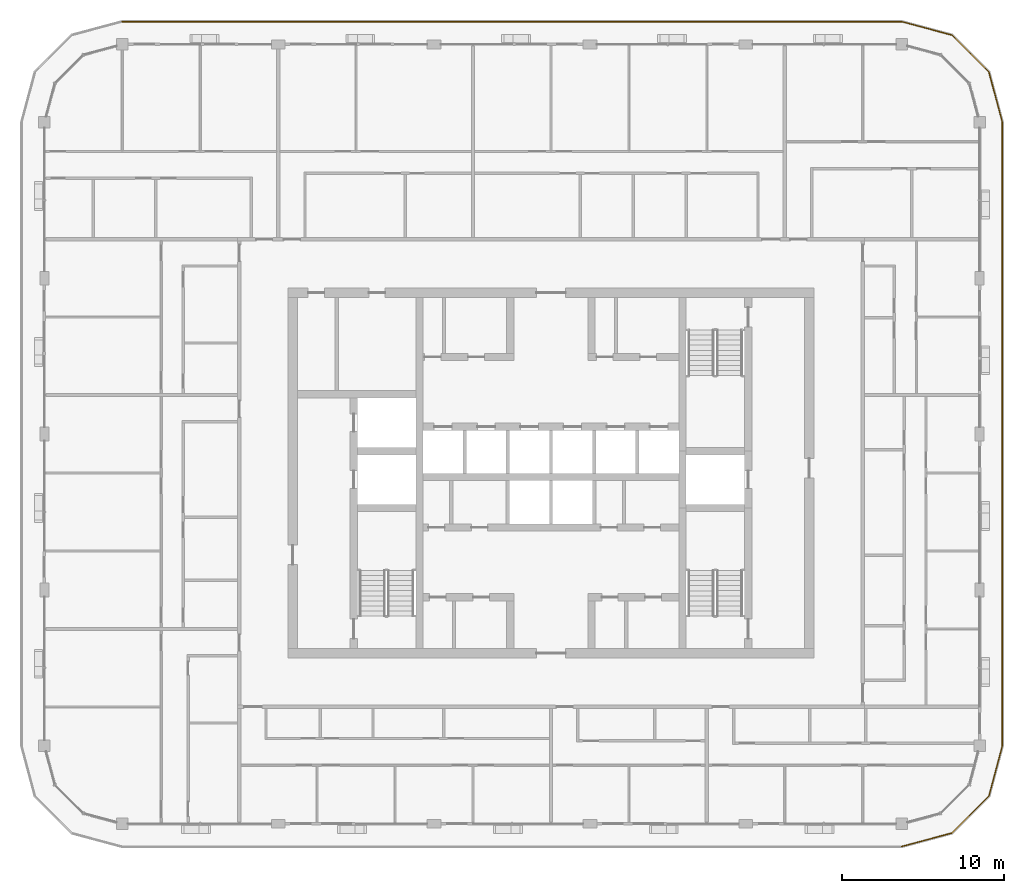
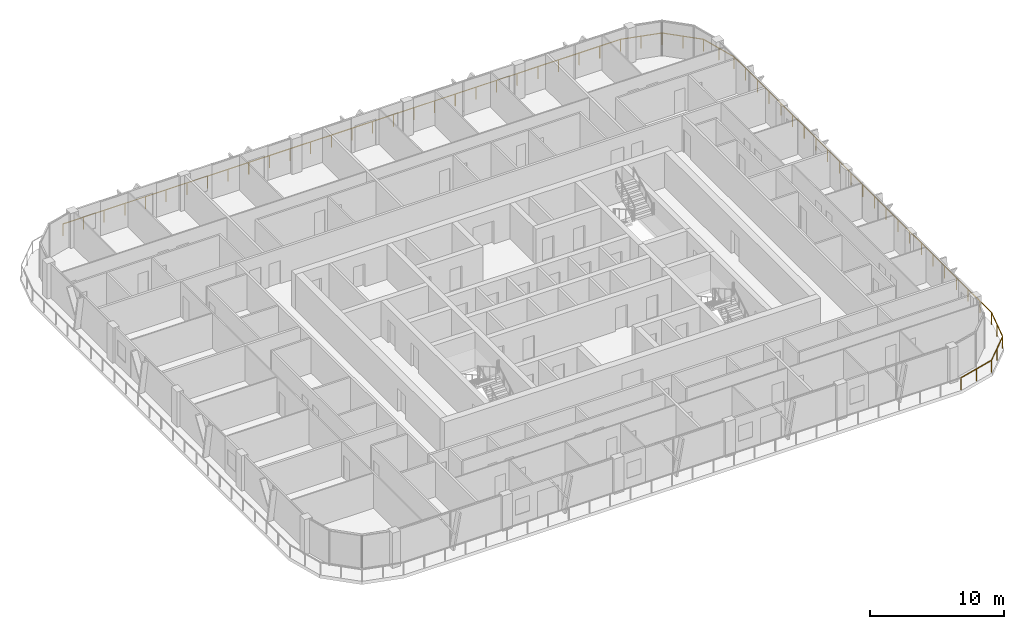
# One storey, part 19 of 21: 1 railing.
"""IFC4 building model written with IfcOpenShell, lengths in metres."""

from ifc_helpers import new_model, si_unit, direction, frame, origin, origin_2d, place, context, subcontext, project, spatial, circle, extrude, material, type_object, element, save


model = new_model("IFC4")

# Units and contexts
model_context = context("Model", 3, precision=1e-05, world=origin(), true_north=direction((0.0, 1.0)))
body_context = subcontext(model_context, "Body", "Model", "MODEL_VIEW")
ifc_project = project(units=[si_unit("LENGTHUNIT", "METRE"), si_unit("AREAUNIT", "SQUARE_METRE"), si_unit("VOLUMEUNIT", "CUBIC_METRE"), si_unit("PLANEANGLEUNIT", "RADIAN"), si_unit("MASSUNIT", "GRAM", prefix="KILO")], contexts=[model_context])

# Site, building, storey
site_placement = place(None, origin())
site = spatial("IfcSite", under=ifc_project, at=site_placement, CompositionType="ELEMENT")
building_placement = place(site_placement, origin())
building = spatial("IfcBuilding", under=site, at=building_placement, Name="Madar Terraces", CompositionType="ELEMENT")
storey_placement = place(building_placement, frame((0.0, 0.0, 245.699951171875)))
storey = spatial("IfcBuildingStorey", under=building, at=storey_placement, Name="L64", CompositionType="ELEMENT", Elevation=245.699951171875)

# Railing
ifc_material = material(Name="Glass, safety glazing, with stainless steel posts", Category="steel")
railing_type = type_object("IfcRailingType", Name="Balcony glass guard 1100", PredefinedType="GUARDRAIL", material=ifc_material)
railing_placement = place(storey_placement, frame((52.800048828125, 3.39990234375, 0.0)))
element("IfcRailing", 1, at=railing_placement, inside=storey, type_object=railing_type, Name="Balcony guard", PredefinedType="GUARDRAIL", context=body_context, shape_type="SweptSolid", body=[
    extrude(circle(Radius=0.02392578125, at=origin_2d()), frame((0.0, 0.0, 1.076171875), z_axis=(0.965909675762, 0.25887931217, 0.0), x_axis=(-0.25887931217, 0.965909675762, 0.0)), (0.0, 0.0, 1.0), 3.209228515625),
    extrude(circle(Radius=0.02392578125, at=origin_2d()), frame((3.099853515625, 0.830810546875, 1.076171875), z_axis=(0.707144815061, 0.707068745266, 0.0), x_axis=(-0.707068745266, 0.707144815061, 0.0)), (0.0, 0.0, 1.0), 3.20947265625),
    extrude(circle(Radius=0.02392578125, at=origin_2d()), frame((5.369384765625, 3.10009765625, 1.076171875), z_axis=(0.258789317819, 0.9659337912, 0.0), x_axis=(-0.9659337912, 0.258789317819, 0.0)), (0.0, 0.0, 1.0), 3.20947265625),
    extrude(circle(Radius=0.02392578125, at=origin_2d()), frame((6.199951171875, 6.2001953125, 1.076171875), z_axis=(0.0, 1.0, 0.0), x_axis=(-1.0, 0.0, 0.0)), (0.0, 0.0, 1.0), 38.39990234375),
    extrude(circle(Radius=0.02392578125, at=origin_2d()), frame((6.199951171875, 44.60009765625, 1.076171875), z_axis=(-0.258789317819, 0.9659337912, 0.0), x_axis=(-0.9659337912, -0.258789317819, 0.0)), (0.0, 0.0, 1.0), 3.20947265625),
    extrude(circle(Radius=0.02392578125, at=origin_2d()), frame((5.369384765625, 47.7001953125, 1.076171875), z_axis=(-0.707144815061, 0.707068745266, 0.0), x_axis=(-0.707068745266, -0.707144815061, 0.0)), (0.0, 0.0, 1.0), 3.20947265625),
    extrude(circle(Radius=0.02392578125, at=origin_2d()), frame((3.099853515625, 49.969482421875, 1.076171875), z_axis=(-0.965928696102, 0.258808334578, 0.0), x_axis=(-0.258808334578, -0.965928696102, 0.0)), (0.0, 0.0, 1.0), 3.209228515625),
    extrude(circle(Radius=0.02392578125, at=origin_2d()), frame((0.0, 50.800048828125, 1.076171875), z_axis=(-1.0, 0.0, 0.0), x_axis=(0.0, -1.0, 0.0)), (0.0, 0.0, 1.0), 48.0),
    extrude(circle(Radius=0.02099609375, at=origin_2d()), origin(), (0.0, 0.0, 1.0), 1.052001953125),
    extrude(circle(Radius=0.02099609375, at=origin_2d()), frame((1.5498046875, 0.41552734375, 0.0)), (0.0, 0.0, 1.0), 1.052001953125),
    extrude(circle(Radius=0.02099609375, at=origin_2d()), frame((3.099853515625, 0.830810546875, 0.0)), (0.0, 0.0, 1.0), 1.052001953125),
    extrude(circle(Radius=0.02099609375, at=origin_2d()), frame((4.234619140625, 1.96533203125, 0.0)), (0.0, 0.0, 1.0), 1.052001953125),
    extrude(circle(Radius=0.02099609375, at=origin_2d()), frame((5.369384765625, 3.10009765625, 0.0)), (0.0, 0.0, 1.0), 1.052001953125),
    extrude(circle(Radius=0.02099609375, at=origin_2d()), frame((5.78466796875, 4.650146484375, 0.0)), (0.0, 0.0, 1.0), 1.052001953125),
    extrude(circle(Radius=0.02099609375, at=origin_2d()), frame((6.199951171875, 6.2001953125, 0.0)), (0.0, 0.0, 1.0), 1.052001953125),
    extrude(circle(Radius=0.02099609375, at=origin_2d()), frame((6.199951171875, 7.945556640625, 0.0)), (0.0, 0.0, 1.0), 1.052001953125),
    extrude(circle(Radius=0.02099609375, at=origin_2d()), frame((6.199951171875, 9.691162109375, 0.0)), (0.0, 0.0, 1.0), 1.052001953125),
    extrude(circle(Radius=0.02099609375, at=origin_2d()), frame((6.199951171875, 11.4365234375, 0.0)), (0.0, 0.0, 1.0), 1.052001953125),
    extrude(circle(Radius=0.02099609375, at=origin_2d()), frame((6.199951171875, 13.181884765625, 0.0)), (0.0, 0.0, 1.0), 1.052001953125),
    extrude(circle(Radius=0.02099609375, at=origin_2d()), frame((6.199951171875, 14.927490234375, 0.0)), (0.0, 0.0, 1.0), 1.052001953125),
    extrude(circle(Radius=0.02099609375, at=origin_2d()), frame((6.199951171875, 16.6728515625, 0.0)), (0.0, 0.0, 1.0), 1.052001953125),
    extrude(circle(Radius=0.02099609375, at=origin_2d()), frame((6.199951171875, 18.41845703125, 0.0)), (0.0, 0.0, 1.0), 1.052001953125),
    extrude(circle(Radius=0.02099609375, at=origin_2d()), frame((6.199951171875, 20.163818359375, 0.0)), (0.0, 0.0, 1.0), 1.052001953125),
    extrude(circle(Radius=0.02099609375, at=origin_2d()), frame((6.199951171875, 21.9091796875, 0.0)), (0.0, 0.0, 1.0), 1.052001953125),
    extrude(circle(Radius=0.02099609375, at=origin_2d()), frame((6.199951171875, 23.65478515625, 0.0)), (0.0, 0.0, 1.0), 1.052001953125),
    extrude(circle(Radius=0.02099609375, at=origin_2d()), frame((6.199951171875, 25.400146484375, 0.0)), (0.0, 0.0, 1.0), 1.052001953125),
    extrude(circle(Radius=0.02099609375, at=origin_2d()), frame((6.199951171875, 27.1455078125, 0.0)), (0.0, 0.0, 1.0), 1.052001953125),
    extrude(circle(Radius=0.02099609375, at=origin_2d()), frame((6.199951171875, 28.89111328125, 0.0)), (0.0, 0.0, 1.0), 1.052001953125),
    extrude(circle(Radius=0.02099609375, at=origin_2d()), frame((6.199951171875, 30.636474609375, 0.0)), (0.0, 0.0, 1.0), 1.052001953125),
    extrude(circle(Radius=0.02099609375, at=origin_2d()), frame((6.199951171875, 32.3818359375, 0.0)), (0.0, 0.0, 1.0), 1.052001953125),
    extrude(circle(Radius=0.02099609375, at=origin_2d()), frame((6.199951171875, 34.12744140625, 0.0)), (0.0, 0.0, 1.0), 1.052001953125),
    extrude(circle(Radius=0.02099609375, at=origin_2d()), frame((6.199951171875, 35.872802734375, 0.0)), (0.0, 0.0, 1.0), 1.052001953125),
    extrude(circle(Radius=0.02099609375, at=origin_2d()), frame((6.199951171875, 37.618408203125, 0.0)), (0.0, 0.0, 1.0), 1.052001953125),
    extrude(circle(Radius=0.02099609375, at=origin_2d()), frame((6.199951171875, 39.36376953125, 0.0)), (0.0, 0.0, 1.0), 1.052001953125),
    extrude(circle(Radius=0.02099609375, at=origin_2d()), frame((6.199951171875, 41.109130859375, 0.0)), (0.0, 0.0, 1.0), 1.052001953125),
    extrude(circle(Radius=0.02099609375, at=origin_2d()), frame((6.199951171875, 42.854736328125, 0.0)), (0.0, 0.0, 1.0), 1.052001953125),
    extrude(circle(Radius=0.02099609375, at=origin_2d()), frame((6.199951171875, 44.60009765625, 0.0)), (0.0, 0.0, 1.0), 1.052001953125),
    extrude(circle(Radius=0.02099609375, at=origin_2d()), frame((5.78466796875, 46.150146484375, 0.0)), (0.0, 0.0, 1.0), 1.052001953125),
    extrude(circle(Radius=0.02099609375, at=origin_2d()), frame((5.369384765625, 47.7001953125, 0.0)), (0.0, 0.0, 1.0), 1.052001953125),
    extrude(circle(Radius=0.02099609375, at=origin_2d()), frame((4.234619140625, 48.8349609375, 0.0)), (0.0, 0.0, 1.0), 1.052001953125),
    extrude(circle(Radius=0.02099609375, at=origin_2d()), frame((3.099853515625, 49.969482421875, 0.0)), (0.0, 0.0, 1.0), 1.052001953125),
    extrude(circle(Radius=0.02099609375, at=origin_2d()), frame((1.5498046875, 50.384765625, 0.0)), (0.0, 0.0, 1.0), 1.052001953125),
    extrude(circle(Radius=0.02099609375, at=origin_2d()), frame((0.0, 50.800048828125, 0.0)), (0.0, 0.0, 1.0), 1.052001953125),
    extrude(circle(Radius=0.02099609375, at=origin_2d()), frame((-1.77783203125, 50.800048828125, 0.0)), (0.0, 0.0, 1.0), 1.052001953125),
    extrude(circle(Radius=0.02099609375, at=origin_2d()), frame((-3.5556640625, 50.800048828125, 0.0)), (0.0, 0.0, 1.0), 1.052001953125),
    extrude(circle(Radius=0.02099609375, at=origin_2d()), frame((-5.333251953125, 50.800048828125, 0.0)), (0.0, 0.0, 1.0), 1.052001953125),
    extrude(circle(Radius=0.02099609375, at=origin_2d()), frame((-7.111083984375, 50.800048828125, 0.0)), (0.0, 0.0, 1.0), 1.052001953125),
    extrude(circle(Radius=0.02099609375, at=origin_2d()), frame((-8.888916015625, 50.800048828125, 0.0)), (0.0, 0.0, 1.0), 1.052001953125),
    extrude(circle(Radius=0.02099609375, at=origin_2d()), frame((-10.666748046875, 50.800048828125, 0.0)), (0.0, 0.0, 1.0), 1.052001953125),
    extrude(circle(Radius=0.02099609375, at=origin_2d()), frame((-12.4443359375, 50.800048828125, 0.0)), (0.0, 0.0, 1.0), 1.052001953125),
    extrude(circle(Radius=0.02099609375, at=origin_2d()), frame((-14.22216796875, 50.800048828125, 0.0)), (0.0, 0.0, 1.0), 1.052001953125),
    extrude(circle(Radius=0.02099609375, at=origin_2d()), frame((-16.0, 50.800048828125, 0.0)), (0.0, 0.0, 1.0), 1.052001953125),
    extrude(circle(Radius=0.02099609375, at=origin_2d()), frame((-17.77783203125, 50.800048828125, 0.0)), (0.0, 0.0, 1.0), 1.052001953125),
    extrude(circle(Radius=0.02099609375, at=origin_2d()), frame((-19.5556640625, 50.800048828125, 0.0)), (0.0, 0.0, 1.0), 1.052001953125),
    extrude(circle(Radius=0.02099609375, at=origin_2d()), frame((-21.333251953125, 50.800048828125, 0.0)), (0.0, 0.0, 1.0), 1.052001953125),
    extrude(circle(Radius=0.02099609375, at=origin_2d()), frame((-23.111083984375, 50.800048828125, 0.0)), (0.0, 0.0, 1.0), 1.052001953125),
    extrude(circle(Radius=0.02099609375, at=origin_2d()), frame((-24.888916015625, 50.800048828125, 0.0)), (0.0, 0.0, 1.0), 1.052001953125),
    extrude(circle(Radius=0.02099609375, at=origin_2d()), frame((-26.666748046875, 50.800048828125, 0.0)), (0.0, 0.0, 1.0), 1.052001953125),
    extrude(circle(Radius=0.02099609375, at=origin_2d()), frame((-28.4443359375, 50.800048828125, 0.0)), (0.0, 0.0, 1.0), 1.052001953125),
    extrude(circle(Radius=0.02099609375, at=origin_2d()), frame((-30.22216796875, 50.800048828125, 0.0)), (0.0, 0.0, 1.0), 1.052001953125),
    extrude(circle(Radius=0.02099609375, at=origin_2d()), frame((-32.0, 50.800048828125, 0.0)), (0.0, 0.0, 1.0), 1.052001953125),
    extrude(circle(Radius=0.02099609375, at=origin_2d()), frame((-33.77783203125, 50.800048828125, 0.0)), (0.0, 0.0, 1.0), 1.052001953125),
    extrude(circle(Radius=0.02099609375, at=origin_2d()), frame((-35.5556640625, 50.800048828125, 0.0)), (0.0, 0.0, 1.0), 1.052001953125),
    extrude(circle(Radius=0.02099609375, at=origin_2d()), frame((-37.333251953125, 50.800048828125, 0.0)), (0.0, 0.0, 1.0), 1.052001953125),
    extrude(circle(Radius=0.02099609375, at=origin_2d()), frame((-39.111083984375, 50.800048828125, 0.0)), (0.0, 0.0, 1.0), 1.052001953125),
    extrude(circle(Radius=0.02099609375, at=origin_2d()), frame((-40.888916015625, 50.800048828125, 0.0)), (0.0, 0.0, 1.0), 1.052001953125),
    extrude(circle(Radius=0.02099609375, at=origin_2d()), frame((-42.666748046875, 50.800048828125, 0.0)), (0.0, 0.0, 1.0), 1.052001953125),
    extrude(circle(Radius=0.02099609375, at=origin_2d()), frame((-44.4443359375, 50.800048828125, 0.0)), (0.0, 0.0, 1.0), 1.052001953125),
    extrude(circle(Radius=0.02099609375, at=origin_2d()), frame((-46.22216796875, 50.800048828125, 0.0)), (0.0, 0.0, 1.0), 1.052001953125),
    extrude(circle(Radius=0.02099609375, at=origin_2d()), frame((-48.0, 50.800048828125, 0.0)), (0.0, 0.0, 1.0), 1.052001953125),
])

save(model, "model.ifc")
